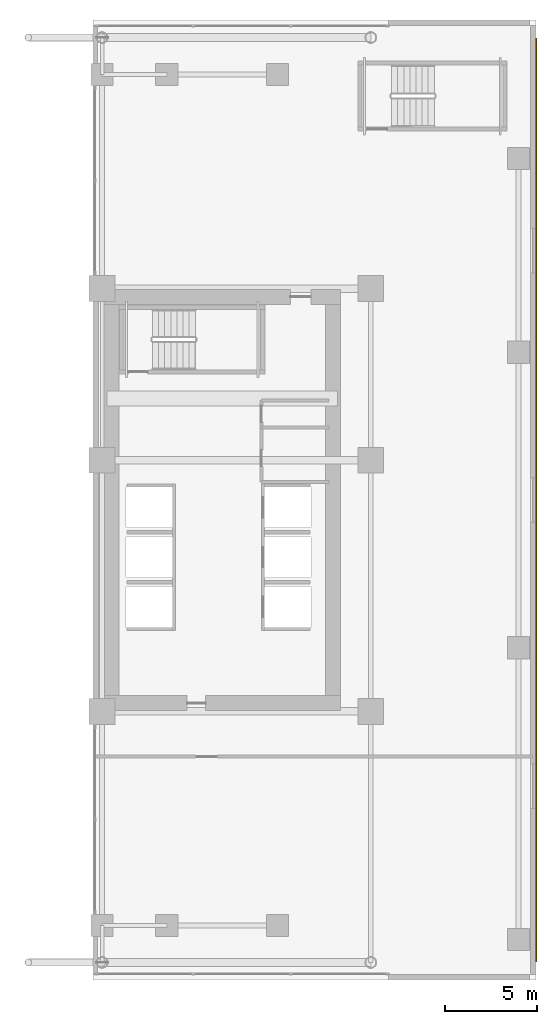
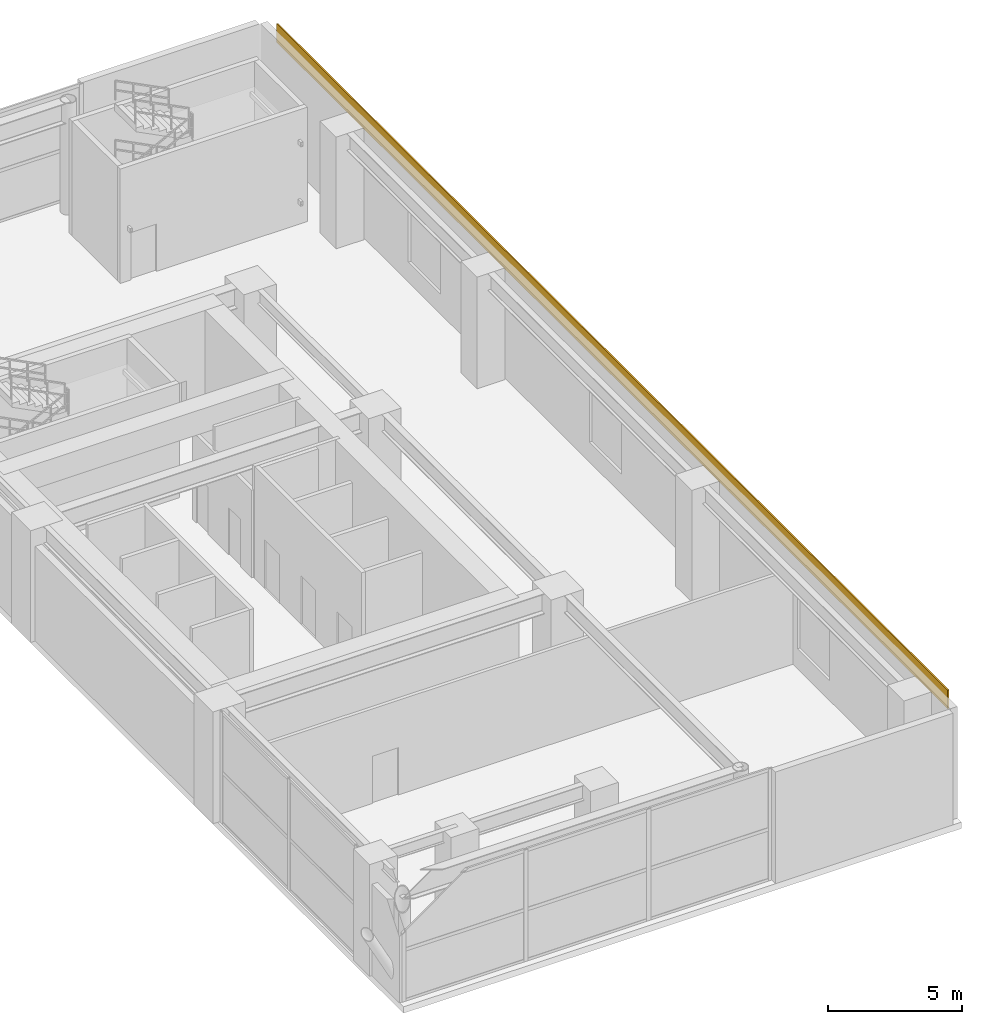
# One storey, part 29 of 29: 1 covering.
"""IFC4 building model written with IfcOpenShell, lengths in metres."""

import ifcopenshell
import ifcopenshell.guid

model = None  # the IFC model being written
_history = None  # IfcOwnerHistory: only IFC2X3 demands one
_inside = {}  # id of a spatial element -> (the spatial element, [elements in it])
_under = {}  # id of a project, library or spatial element -> (it, [spatial elements below it])
_declared = {}  # id of a project -> (the project, [libraries it declares])
_typed = {}  # id of a type object -> (the type object, [elements of that type])
_made_of = {}  # id of a material, layer set ... -> (it, [elements and type objects made of it])


def new_model(schema):
    """Start an empty IFC model of exactly this schema.

    Asked for "IFC4X3", IfcOpenShell would pick the latest addendum, in which some entities
    have other attributes; the version numbers below select the first issue.
    IFC2X3 requires an IfcOwnerHistory on every rooted entity: one is made here for all.
    """
    global model, _history
    if schema == "IFC4X3":
        model = ifcopenshell.file(schema_version=(4, 3, 0, 0))
    else:
        model = ifcopenshell.file(schema=schema)
    _inside.clear()
    _under.clear()
    _declared.clear()
    _typed.clear()
    _made_of.clear()
    _history = None
    if model.schema == "IFC2X3":
        org = make("IfcOrganization", Name="unknown")
        user = make(
            "IfcPersonAndOrganization",
            ThePerson=make("IfcPerson", FamilyName="unknown"),
            TheOrganization=org,
        )
        app = make(
            "IfcApplication",
            ApplicationDeveloper=org,
            Version="unknown",
            ApplicationFullName="unknown",
            ApplicationIdentifier="unknown",
        )
        _history = make(
            "IfcOwnerHistory",
            OwningUser=user,
            OwningApplication=app,
            ChangeAction="ADDED",
            CreationDate=0,
        )
    return model


def make(cls, **values):
    """One entity of the class cls with the attributes given. An attribute that is None is left unset."""
    return model.create_entity(
        cls, **{name: value for name, value in values.items() if value is not None}
    )


def rooted(cls, **values):
    """An entity with a GlobalId (a new one), such as an element, a storey or a relation."""
    return make(cls, GlobalId=ifcopenshell.guid.new(), OwnerHistory=_history, **values)


def si_unit(unit_type, name, prefix=None):
    """IfcSIUnit, for example si_unit("LENGTHUNIT", "METRE", prefix="MILLI")."""
    return make("IfcSIUnit", UnitType=unit_type, Prefix=prefix, Name=name)


def assignment(units):
    """IfcUnitAssignment: the units of a project."""
    return None if units is None else make("IfcUnitAssignment", Units=units)


def point(xyz):
    """IfcCartesianPoint."""
    return None if xyz is None else make("IfcCartesianPoint", Coordinates=xyz)


def direction(xyz):
    """IfcDirection."""
    return None if xyz is None else make("IfcDirection", DirectionRatios=xyz)


def frame(location, z_axis=None, x_axis=None):
    """IfcAxis2Placement3D, a coordinate frame: its origin and axes. An axis left out is left unset."""
    return make(
        "IfcAxis2Placement3D",
        Location=point(location),
        Axis=direction(z_axis),
        RefDirection=direction(x_axis),
    )


def frame_2d(location, x_axis=None):
    """IfcAxis2Placement2D, a coordinate frame in the plane: its origin and x axis."""
    return make(
        "IfcAxis2Placement2D", Location=point(location), RefDirection=direction(x_axis)
    )


def origin():
    """The frame at (0, 0, 0) with its axes left unset."""
    return frame((0.0, 0.0, 0.0))


def origin_2d():
    """The frame at (0, 0) in the plane with its x axis left unset."""
    return frame_2d((0.0, 0.0))


def place(relative_to, where):
    """IfcLocalPlacement: puts the frame where relative to a parent placement (None: the world)."""
    return make(
        "IfcLocalPlacement", PlacementRelTo=relative_to, RelativePlacement=where
    )


def context(
    kind, dimensions, precision=None, world=None, true_north=None, identifier=None
):
    """IfcGeometricRepresentationContext, for example the 3D "Model" context."""
    return make(
        "IfcGeometricRepresentationContext",
        ContextIdentifier=identifier,
        ContextType=kind,
        CoordinateSpaceDimension=dimensions,
        Precision=precision,
        WorldCoordinateSystem=world,
        TrueNorth=true_north,
    )


def subcontext(parent, identifier, kind, view, scale=None):
    """IfcGeometricRepresentationSubContext, for example "Body" below "Model"."""
    return make(
        "IfcGeometricRepresentationSubContext",
        ContextIdentifier=identifier,
        ContextType=kind,
        ParentContext=parent,
        TargetScale=scale,
        TargetView=view,
    )


def project(units=None, contexts=None):
    """IfcProject with its units and contexts."""
    return rooted(
        "IfcProject",
        Name="project",
        RepresentationContexts=contexts,
        UnitsInContext=assignment(units),
    )


def spatial(cls, under=None, at=None, **own):
    """A site, building, storey or space (cls), placed at a placement, below another one or the project."""
    s = rooted(cls, ObjectPlacement=at, **own)
    if under is not None:
        _under.setdefault(under.id(), (under, []))[1].append(s)
    return s


def profile(cls, at=None, kind="AREA", **sizes):
    """A parametric profile (cls). Its sizes go by their IFC names, for example OverallWidth=200.0."""
    return make(cls, ProfileType=kind, Position=at, **sizes)


def rectangle(**sizes):
    """IfcRectangleProfileDef."""
    return profile("IfcRectangleProfileDef", **sizes)


def extrude(swept, where, along, depth):
    """IfcExtrudedAreaSolid: the profile swept, set in the frame where, extruded along a direction by depth."""
    return make(
        "IfcExtrudedAreaSolid",
        SweptArea=swept,
        Position=where,
        ExtrudedDirection=direction(along),
        Depth=depth,
    )


def shape(context_of_items, identifier, shape_type, items):
    """IfcShapeRepresentation: the items that make up one representation, for example the "Body"."""
    return make(
        "IfcShapeRepresentation",
        ContextOfItems=context_of_items,
        RepresentationIdentifier=identifier,
        RepresentationType=shape_type,
        Items=items,
    )


def source(mapping_origin, context_of_items, identifier, shape_type, items):
    """IfcRepresentationMap: a shape defined once, which mapped items show again and again."""
    return make(
        "IfcRepresentationMap",
        MappingOrigin=mapping_origin,
        MappedRepresentation=shape(context_of_items, identifier, shape_type, items),
    )


def transform(
    local_origin,
    x_axis=None,
    y_axis=None,
    z_axis=None,
    scale=None,
    scale2=None,
    scale3=None,
    uniform=True,
):
    """IfcCartesianTransformationOperator3D, or its non-uniform kind. x_axis, y_axis, z_axis: its Axis1, 2, 3."""
    if uniform:
        return make(
            "IfcCartesianTransformationOperator3D",
            Axis1=direction(x_axis),
            Axis2=direction(y_axis),
            LocalOrigin=point(local_origin),
            Scale=scale,
            Axis3=direction(z_axis),
        )
    return make(
        "IfcCartesianTransformationOperator3DnonUniform",
        Axis1=direction(x_axis),
        Axis2=direction(y_axis),
        LocalOrigin=point(local_origin),
        Scale=scale,
        Axis3=direction(z_axis),
        Scale2=scale2,
        Scale3=scale3,
    )


def mapped(mapping_source, mapping_target):
    """IfcMappedItem: shows the shape of a source again, moved by a transform."""
    return make(
        "IfcMappedItem", MappingSource=mapping_source, MappingTarget=mapping_target
    )


def material(Name=None, Category=None):
    """IfcMaterial."""
    return make("IfcMaterial", Name=Name, Category=Category)


def layer(
    of_material, thickness, ventilated=None, Name=None, Category=None, Priority=None
):
    """IfcMaterialLayer: one layer of a wall or slab, of a material (None: an air gap)."""
    return make(
        "IfcMaterialLayer",
        Material=of_material,
        LayerThickness=thickness,
        IsVentilated=ventilated,
        Name=Name,
        Category=Category,
        Priority=Priority,
    )


def layer_set(layers, Name=None):
    """IfcMaterialLayerSet."""
    return make("IfcMaterialLayerSet", MaterialLayers=layers, LayerSetName=Name)


def made_of(thing, what):
    """Note that an element or type object is made of a material, layer set ...; save() writes the relation."""
    if what is not None:
        _made_of.setdefault(what.id(), (what, []))[1].append(thing)
    return thing


def type_object(cls, material=None, **own):
    """A type object (cls), such as IfcWallType, which elements share."""
    return made_of(rooted(cls, **own), material)


def element(
    cls,
    number,
    at=None,
    inside=None,
    cuts=None,
    type_object=None,
    material=None,
    context=None,
    identifier="Body",
    shape_type=None,
    held_by="IfcProductDefinitionShape",
    body=None,
    shapes=None,
    **own,
):
    """One element of the class cls, such as IfcWall. Its Tag is "e" and its number.

    at: its placement. inside: the storey or other place that contains it. cuts: it is an
    opening in that element (IfcRelVoidsElement). A single representation is given by context,
    identifier, shape_type and body (its items); several are given by shapes. held_by: the class
    of the entity that holds the representations. save() writes the other relations.
    """
    e = rooted(cls, Tag="e%d" % number, ObjectPlacement=at, **own)
    if body is not None:
        shapes = [shape(context, identifier, shape_type, body)]
    if shapes is not None:
        e.Representation = make(held_by, Representations=shapes)
    if inside is not None:
        _inside.setdefault(inside.id(), (inside, []))[1].append(e)
    if cuts is not None:
        rooted(
            "IfcRelVoidsElement", RelatingBuildingElement=cuts, RelatedOpeningElement=e
        )
    if type_object is not None:
        _typed.setdefault(type_object.id(), (type_object, []))[1].append(e)
    return made_of(e, material)


def aggregate(whole, parts):
    """IfcRelAggregates: a whole, such as a stair, and the parts it consists of."""
    return rooted("IfcRelAggregates", RelatingObject=whole, RelatedObjects=parts)


def save(model, path):
    """Write the relations noted so far, then the file.

    IfcRelAggregates (storeys below a building ...), IfcRelContainedInSpatialStructure (elements
    in a storey), IfcRelDefinesByType, IfcRelAssociatesMaterial and IfcRelDeclares: one each for
    every whole, place, type object, material and project.
    """
    for whole, parts in _under.values():
        aggregate(whole, parts)
    for where, things in _inside.values():
        rooted(
            "IfcRelContainedInSpatialStructure",
            RelatedElements=things,
            RelatingStructure=where,
        )
    for kind, things in _typed.values():
        rooted("IfcRelDefinesByType", RelatedObjects=things, RelatingType=kind)
    for what, things in _made_of.values():
        rooted("IfcRelAssociatesMaterial", RelatedObjects=things, RelatingMaterial=what)
    for by, libraries in _declared.values():
        rooted("IfcRelDeclares", RelatingContext=by, RelatedDefinitions=libraries)
    model.write(path)


model = new_model("IFC4")

# Units and contexts
model_context = context("Model", 3, precision=1e-05, world=origin(), true_north=direction((0.0, 1.0)))
body_context = subcontext(model_context, "Body", "Model", "MODEL_VIEW")
ifc_project = project(units=[si_unit("LENGTHUNIT", "METRE"), si_unit("AREAUNIT", "SQUARE_METRE"), si_unit("VOLUMEUNIT", "CUBIC_METRE"), si_unit("PLANEANGLEUNIT", "RADIAN"), si_unit("MASSUNIT", "GRAM", prefix="KILO")], contexts=[model_context])

# Site, building, storey
site_placement = place(None, origin())
site = spatial("IfcSite", under=ifc_project, at=site_placement, CompositionType="ELEMENT")
building_placement = place(site_placement, origin())
building = spatial("IfcBuilding", under=site, at=building_placement, Name="Ocotamira Hotel", CompositionType="ELEMENT")
storey_placement = place(building_placement, frame((0.0, 0.0, 6.0)))
storey = spatial("IfcBuildingStorey", under=building, at=storey_placement, Name="L02", CompositionType="ELEMENT", Elevation=6.0)

# Covering
ifc_material = material(Name="Pale-metal champagne aluminium rainscreen cladding", Category="aluminium")
ifc_layer = layer(ifc_material, 0.06005859375)
ifc_layer_set = layer_set([ifc_layer], Name="Pale-metal champagne aluminium rainscreen cladding")
covering_type = type_object("IfcCoveringType", Name="COV-CLAD-60", PredefinedType="CLADDING", material=ifc_layer_set)
shared_shape = source(origin(), body_context, "Body", "SweptSolid", [
    extrude(rectangle(XDim=0.06005859375, YDim=50.0, at=origin_2d()), origin(), (0.0, 0.0, 1.0), 0.85009765625),
])
covering_placement = place(storey_placement, frame((64.02001953125, 26.0, 4.550048828125), z_axis=(0.0, 0.0, 1.0), x_axis=(1.0, 0.0, 0.0)))
element("IfcCovering", 1, at=covering_placement, inside=storey, type_object=covering_type, Name="L02 East Spandrel Cladding", PredefinedType="CLADDING", context=body_context, shape_type="MappedRepresentation", body=[
    mapped(shared_shape, transform((0.0, 0.0, 0.0), scale=1.0)),
])

save(model, "model.ifc")
